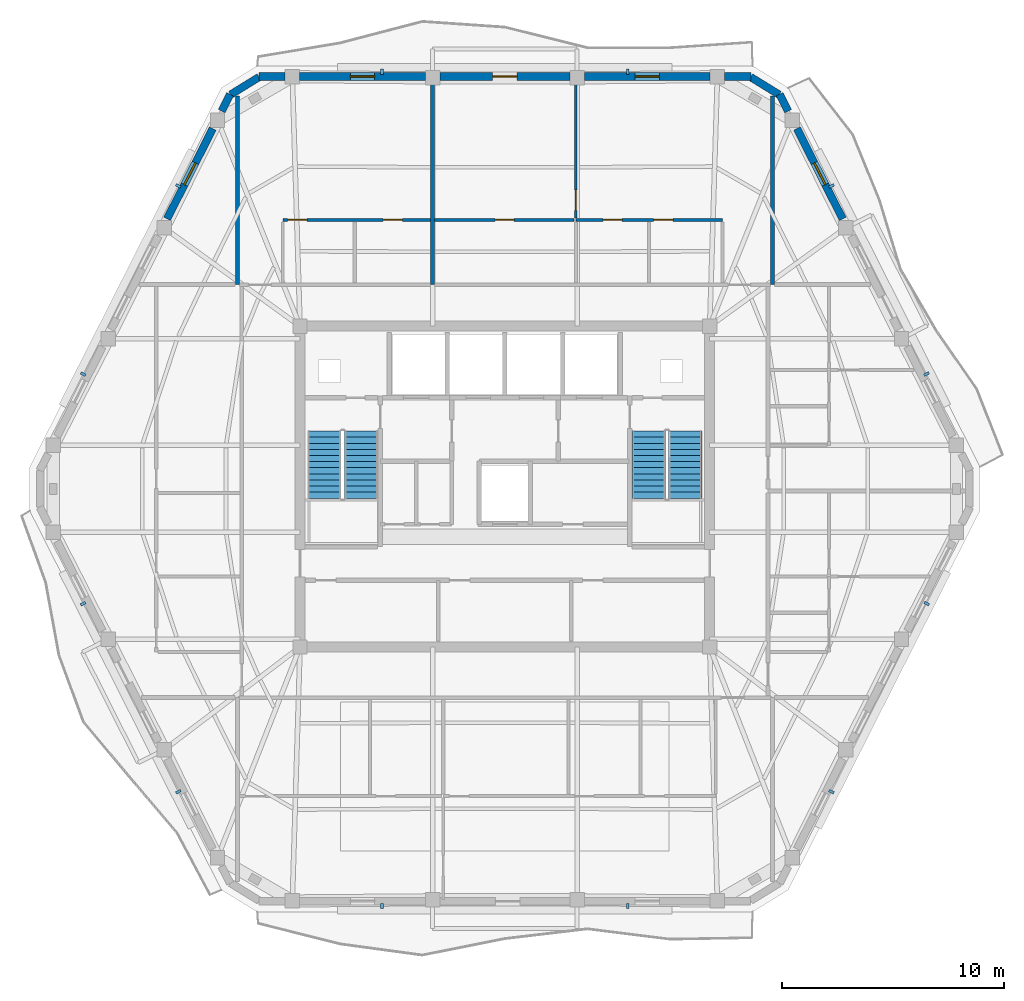
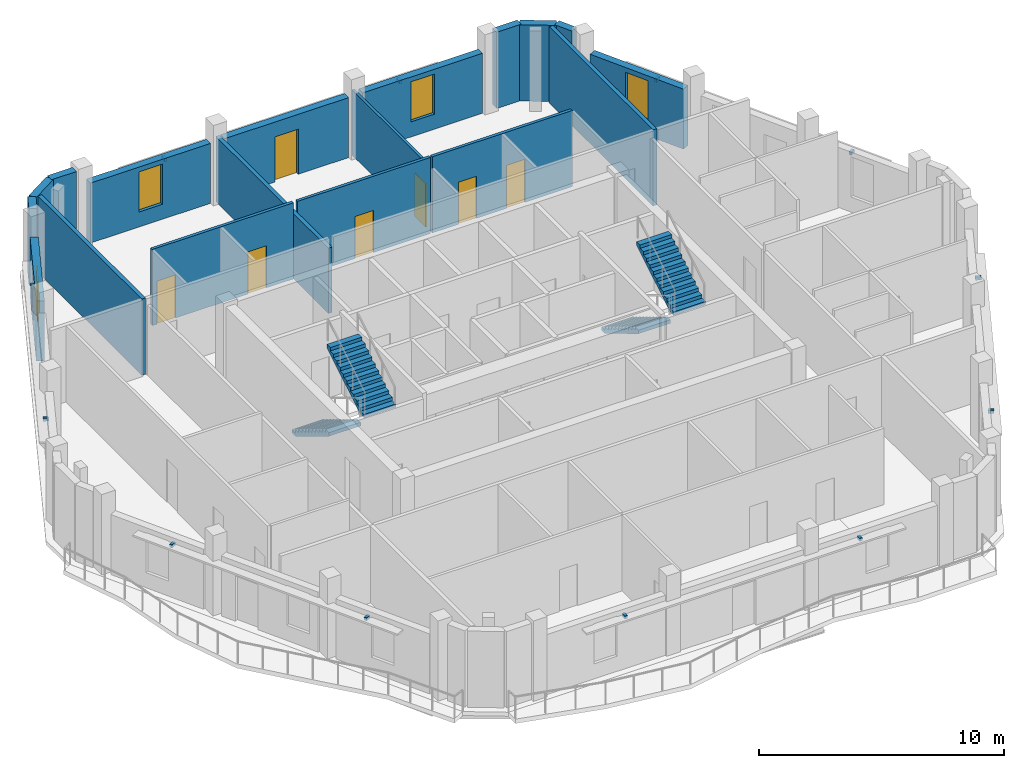
# One storey, part 7 of 10: 18 walls, 12 discrete accessories, 7 doors, 4 stair flights, 4 windows, 11 openings, 2 elements without a shape of their own.
"""IFC4 building model written with IfcOpenShell, lengths in metres."""

from ifc_helpers import new_model, si_unit, direction, frame, frame_2d, origin, origin_2d, place, context, subcontext, project, spatial, polyline, rectangle, outline, extrude, material, layer, layer_set, type_object, element, fill, aggregate, save


model = new_model("IFC4")

# Units and contexts
model_context = context("Model", 3, precision=1e-05, world=origin(), true_north=direction((0.0, 1.0)))
body_context = subcontext(model_context, "Body", "Model", "MODEL_VIEW")
ifc_project = project(units=[si_unit("LENGTHUNIT", "METRE"), si_unit("AREAUNIT", "SQUARE_METRE"), si_unit("VOLUMEUNIT", "CUBIC_METRE"), si_unit("PLANEANGLEUNIT", "RADIAN"), si_unit("MASSUNIT", "GRAM", prefix="KILO")], contexts=[model_context])

# Site, building, storey
site_placement = place(None, origin())
site = spatial("IfcSite", under=ifc_project, at=site_placement, CompositionType="ELEMENT")
building_placement = place(site_placement, origin())
building = spatial("IfcBuilding", under=site, at=building_placement, Name="Cinnabar Lancet Tower", CompositionType="ELEMENT")
storey_placement = place(building_placement, frame((0.0, 0.0, 287.5)))
storey = spatial("IfcBuildingStorey", under=building, at=storey_placement, Name="L76", CompositionType="ELEMENT", Elevation=287.5)

# Walls
ifc_material_1 = material(Name="Fire-rated twin-frame acoustic drywall", Category="gypsum")
ifc_layer_1 = layer(ifc_material_1, 0.179931640625)
ifc_layer_set_1 = layer_set([ifc_layer_1], Name="Fire-rated twin-frame acoustic drywall")
wall_type_1 = type_object("IfcWallType", Name="ARC-WL-PARTY-180", PredefinedType="PARTITIONING", material=ifc_layer_set_1)
wall_1_placement = place(storey_placement, frame((20.35009765625, 35.0, 0.0), z_axis=(0.0, 0.0, 1.0), x_axis=(0.0, 1.0, 0.0)))
element("IfcWall", 1, at=wall_1_placement, inside=storey, type_object=wall_type_1, Name="PW-L76-NPTY-204", PredefinedType="PARTITIONING", context=body_context, shape_type="SweptSolid", body=[
    extrude(rectangle(XDim=8.48095703125, YDim=0.179931640625, at=frame_2d((4.240478515625, 0.0))), origin(), (0.0, 0.0, 1.0), 3.800048828125),
])
wall_2_placement = place(storey_placement, frame((29.14599609375, 35.0, 0.0), z_axis=(0.0, 0.0, 1.0), x_axis=(0.0, 1.0, 0.0)))
element("IfcWall", 2, at=wall_2_placement, inside=storey, type_object=wall_type_1, Name="PW-L76-NPTY-291", PredefinedType="PARTITIONING", context=body_context, shape_type="SweptSolid", body=[
    extrude(rectangle(XDim=9.195068359375, YDim=0.179931640625, at=frame_2d((4.59765625, 0.0))), origin(), (0.0, 0.0, 1.0), 3.257080078125),
])
wall_3_placement = place(storey_placement, frame((44.449951171875, 35.0, 0.0), z_axis=(0.0, 0.0, 1.0), x_axis=(0.0, 1.0, 0.0)))
element("IfcWall", 3, at=wall_3_placement, inside=storey, type_object=wall_type_1, Name="PW-L76-NPTY-444", PredefinedType="PARTITIONING", context=body_context, shape_type="SweptSolid", body=[
    extrude(rectangle(XDim=8.48095703125, YDim=0.179931640625, at=frame_2d((4.240478515625, 0.0))), origin(), (0.0, 0.0, 1.0), 3.800048828125),
])

# Wall, opening, door
ifc_material_2 = material(Name="Gypsum plasterboard stud partition", Category="gypsum")
ifc_layer_2 = layer(ifc_material_2, 0.125)
ifc_layer_set_2 = layer_set([ifc_layer_2], Name="Gypsum plasterboard stud partition")
wall_type_2 = type_object("IfcWallType", Name="ARC-WL-UNIT-125", PredefinedType="PARTITIONING", material=ifc_layer_set_2)
wall_4_placement = place(storey_placement, frame((35.596923828125, 37.989990234375, 0.0), z_axis=(0.0, 0.0, 1.0), x_axis=(0.0, 1.0, 0.0)))
wall_4 = element("IfcWall", 4, at=wall_4_placement, inside=storey, type_object=wall_type_2, Name="UW-L76-N02-MBW", PredefinedType="PARTITIONING", context=body_context, shape_type="SweptSolid", body=[
    extrude(rectangle(XDim=6.294921875, YDim=0.125, at=frame_2d((3.1474609375, 0.0))), origin(), (0.0, 0.0, 1.0), 3.257080078125),
])
opening_1_placement = place(wall_4_placement, frame((0.35009765625, 0.0, 0.0)))
opening_1 = element("IfcOpeningElement", 5, at=opening_1_placement, cuts=wall_4, Name="Opening RD-01", PredefinedType="OPENING", context=body_context, shape_type="SweptSolid", body=[
    extrude(rectangle(XDim=0.919921875, YDim=2.14990234375, at=frame_2d((0.4599609375, 1.074951171875))), frame((0.0, 0.072509765625, 0.0), z_axis=(0.0, -1.0, 0.0), x_axis=(1.0, 0.0, 0.0)), (0.0, 0.0, 1.0), 0.14501953125),
])
ifc_material_3 = material(Name="Engineered timber bedroom door", Category="wood")
door_type_1 = type_object("IfcDoorType", Name="ARC-DR-ROOM", OperationType="NOTDEFINED", PredefinedType="DOOR", material=ifc_material_3)
door_1_placement = place(opening_1_placement, origin())
door_1 = element("IfcDoor", 6, at=door_1_placement, inside=storey, type_object=door_type_1, Name="DR-L76-N02-MBD", OperationType="SINGLE_SWING_LEFT", OverallHeight=2.14990234375, OverallWidth=0.919921875, PredefinedType="DOOR", context=body_context, shape_type="SweptSolid", body=[
    extrude(rectangle(XDim=0.919921875, YDim=2.14990234375, at=frame_2d((0.4599609375, 1.074951171875))), frame((0.0, 0.02490234375, 0.0), z_axis=(0.0, -1.0, 0.0), x_axis=(1.0, 0.0, 0.0)), (0.0, 0.0, 1.0), 0.050048828125),
])
fill(opening_1, door_1)

# Wall, openings, doors
ifc_material_4 = material(Name="Moisture-resistant cement-board plumbing wall", Category="masonry")
ifc_layer_3 = layer(ifc_material_4, 0.139892578125)
ifc_layer_set_3 = layer_set([ifc_layer_3], Name="Moisture-resistant cement-board plumbing wall")
wall_type_3 = type_object("IfcWallType", Name="ARC-WL-WET-140", PredefinedType="PLUMBINGWALL", material=ifc_layer_set_3)
wall_5_placement = place(storey_placement, frame((22.39990234375, 37.9150390625, 0.0), z_axis=(0.0, 0.0, 1.0), x_axis=(1.0, 0.0, 0.0)))
wall_5 = element("IfcWall", 7, at=wall_5_placement, inside=storey, type_object=wall_type_3, Name="UW-L76-N01-SPL", PredefinedType="PLUMBINGWALL", context=body_context, shape_type="SweptSolid", body=[
    extrude(rectangle(XDim=6.651123046875, YDim=0.139892578125, at=frame_2d((3.32568359375, 0.0))), origin(), (0.0, 0.0, 1.0), 3.800048828125),
])
opening_2_placement = place(wall_5_placement, frame((4.52001953125, 0.0, 0.0)))
opening_2 = element("IfcOpeningElement", 8, at=opening_2_placement, cuts=wall_5, Name="Opening BD-01", PredefinedType="OPENING", context=body_context, shape_type="SweptSolid", body=[
    extrude(rectangle(XDim=0.860107421875, YDim=2.10009765625, at=frame_2d((0.43017578125, 1.050048828125))), frame((0.0, 0.079833984375, 0.0), z_axis=(0.0, -1.0, 0.0), x_axis=(1.0, 0.0, 0.0)), (0.0, 0.0, 1.0), 0.159912109375),
])
opening_3_placement = place(wall_5_placement, frame((0.219970703125, 0.0, 0.0)))
opening_3 = element("IfcOpeningElement", 9, at=opening_3_placement, cuts=wall_5, Name="Opening RD-02", PredefinedType="OPENING", context=body_context, shape_type="SweptSolid", body=[
    extrude(rectangle(XDim=0.8798828125, YDim=2.14990234375, at=frame_2d((0.43994140625, 1.074951171875))), frame((0.0, 0.079833984375, 0.0), z_axis=(0.0, -1.0, 0.0), x_axis=(1.0, 0.0, 0.0)), (0.0, 0.0, 1.0), 0.159912109375),
])
ifc_material_5 = material(Name="Moisture-resistant timber bathroom door", Category="wood")
door_type_2 = type_object("IfcDoorType", Name="ARC-DR-BATH", OperationType="NOTDEFINED", PredefinedType="DOOR", material=ifc_material_5)
door_2_placement = place(opening_2_placement, origin())
door_2 = element("IfcDoor", 10, at=door_2_placement, inside=storey, type_object=door_type_2, Name="DR-L76-N01-BTH", OperationType="SINGLE_SWING_LEFT", OverallHeight=2.10009765625, OverallWidth=0.860107421875, PredefinedType="DOOR", context=body_context, shape_type="SweptSolid", body=[
    extrude(rectangle(XDim=0.860107421875, YDim=2.10009765625, at=frame_2d((0.43017578125, 1.050048828125))), frame((0.0, 0.02490234375, 0.0), z_axis=(0.0, -1.0, 0.0), x_axis=(1.0, 0.0, 0.0)), (0.0, 0.0, 1.0), 0.050048828125),
])
fill(opening_2, door_2)
ifc_material_6 = material(Name="Engineered timber study door", Category="wood")
door_type_3 = type_object("IfcDoorType", Name="ARC-DR-STUDY", OperationType="NOTDEFINED", PredefinedType="DOOR", material=ifc_material_6)
door_3_placement = place(opening_3_placement, origin())
door_3 = element("IfcDoor", 11, at=door_3_placement, inside=storey, type_object=door_type_3, Name="DR-L76-N01-KIT", OperationType="SINGLE_SWING_RIGHT", OverallHeight=2.14990234375, OverallWidth=0.8798828125, PredefinedType="DOOR", context=body_context, shape_type="SweptSolid", body=[
    extrude(rectangle(XDim=0.8798828125, YDim=2.14990234375, at=frame_2d((0.43994140625, 1.074951171875))), frame((0.0, 0.02490234375, 0.0), z_axis=(0.0, -1.0, 0.0), x_axis=(1.0, 0.0, 0.0)), (0.0, 0.0, 1.0), 0.050048828125),
])
fill(opening_3, door_3)

wall_6_placement = place(storey_placement, frame((35.596923828125, 37.9150390625, 0.0), z_axis=(0.0, 0.0, 1.0), x_axis=(1.0, 0.0, 0.0)))
wall_6 = element("IfcWall", 12, at=wall_6_placement, inside=storey, type_object=wall_type_3, Name="UW-L76-N02-SPL", PredefinedType="PLUMBINGWALL", context=body_context, shape_type="SweptSolid", body=[
    extrude(rectangle(XDim=6.60302734375, YDim=0.139892578125, at=frame_2d((3.301513671875, 0.0))), origin(), (0.0, 0.0, 1.0), 3.800048828125),
])
opening_4_placement = place(wall_6_placement, frame((1.22607421875, 0.0, 0.0)))
opening_4 = element("IfcOpeningElement", 13, at=opening_4_placement, cuts=wall_6, Name="Opening BD-01", PredefinedType="OPENING", context=body_context, shape_type="SweptSolid", body=[
    extrude(rectangle(XDim=0.860107421875, YDim=2.10009765625, at=frame_2d((0.43017578125, 1.050048828125))), frame((0.0, 0.079833984375, 0.0), z_axis=(0.0, -1.0, 0.0), x_axis=(1.0, 0.0, 0.0)), (0.0, 0.0, 1.0), 0.159912109375),
])
opening_5_placement = place(wall_6_placement, frame((3.5009765625, 0.0, 0.0)))
opening_5 = element("IfcOpeningElement", 14, at=opening_5_placement, cuts=wall_6, Name="Opening RD-02", PredefinedType="OPENING", context=body_context, shape_type="SweptSolid", body=[
    extrude(rectangle(XDim=0.8798828125, YDim=2.14990234375, at=frame_2d((0.43994140625, 1.074951171875))), frame((0.0, 0.079833984375, 0.0), z_axis=(0.0, -1.0, 0.0), x_axis=(1.0, 0.0, 0.0)), (0.0, 0.0, 1.0), 0.159912109375),
])
door_4_placement = place(opening_4_placement, origin())
door_4 = element("IfcDoor", 15, at=door_4_placement, inside=storey, type_object=door_type_2, Name="DR-L76-N02-BTH", OperationType="SINGLE_SWING_LEFT", OverallHeight=2.10009765625, OverallWidth=0.860107421875, PredefinedType="DOOR", context=body_context, shape_type="SweptSolid", body=[
    extrude(rectangle(XDim=0.860107421875, YDim=2.10009765625, at=frame_2d((0.43017578125, 1.050048828125))), frame((0.0, 0.02490234375, 0.0), z_axis=(0.0, -1.0, 0.0), x_axis=(1.0, 0.0, 0.0)), (0.0, 0.0, 1.0), 0.050048828125),
])
fill(opening_4, door_4)
door_5_placement = place(opening_5_placement, origin())
door_5 = element("IfcDoor", 16, at=door_5_placement, inside=storey, type_object=door_type_3, Name="DR-L76-N02-KIT", OperationType="SINGLE_SWING_RIGHT", OverallHeight=2.14990234375, OverallWidth=0.8798828125, PredefinedType="DOOR", context=body_context, shape_type="SweptSolid", body=[
    extrude(rectangle(XDim=0.8798828125, YDim=2.14990234375, at=frame_2d((0.43994140625, 1.074951171875))), frame((0.0, 0.02490234375, 0.0), z_axis=(0.0, -1.0, 0.0), x_axis=(1.0, 0.0, 0.0)), (0.0, 0.0, 1.0), 0.050048828125),
])
fill(opening_5, door_5)

# Wall, opening, door
wall_7_placement = place(storey_placement, frame((29.240966796875, 37.9150390625, 0.0), z_axis=(0.0, 0.0, 1.0), x_axis=(1.0, 0.0, 0.0)))
wall_7 = element("IfcWall", 17, at=wall_7_placement, inside=storey, type_object=wall_type_3, Name="UW-L76-N02-SPM", PredefinedType="PLUMBINGWALL", context=body_context, shape_type="SweptSolid", body=[
    extrude(rectangle(XDim=6.281005859375, YDim=0.139892578125, at=frame_2d((3.140625, 0.0))), origin(), (0.0, 0.0, 1.0), 3.800048828125),
])
opening_6_placement = place(wall_7_placement, frame((2.715087890625, 0.0, 0.0)))
opening_6 = element("IfcOpeningElement", 18, at=opening_6_placement, cuts=wall_7, Name="Opening BD-01", PredefinedType="OPENING", context=body_context, shape_type="SweptSolid", body=[
    extrude(rectangle(XDim=0.860107421875, YDim=2.10009765625, at=frame_2d((0.43017578125, 1.050048828125))), frame((0.0, 0.079833984375, 0.0), z_axis=(0.0, -1.0, 0.0), x_axis=(1.0, 0.0, 0.0)), (0.0, 0.0, 1.0), 0.159912109375),
])
door_6_placement = place(opening_6_placement, origin())
door_6 = element("IfcDoor", 19, at=door_6_placement, inside=storey, type_object=door_type_2, Name="DR-L76-N02-ENS", OperationType="SINGLE_SWING_RIGHT", OverallHeight=2.10009765625, OverallWidth=0.860107421875, PredefinedType="DOOR", context=body_context, shape_type="SweptSolid", body=[
    extrude(rectangle(XDim=0.860107421875, YDim=2.10009765625, at=frame_2d((0.43017578125, 1.050048828125))), frame((0.0, 0.02490234375, 0.0), z_axis=(0.0, -1.0, 0.0), x_axis=(1.0, 0.0, 0.0)), (0.0, 0.0, 1.0), 0.050048828125),
])
fill(opening_6, door_6)

# Walls
ifc_material_7 = material(Name="Cinnabar red clay brick", Category="masonry")
ifc_layer_4 = layer(ifc_material_7, 0.340087890625)
ifc_layer_set_4 = layer_set([ifc_layer_4], Name="Cinnabar red clay brick")
wall_type_4 = type_object("IfcWallType", Name="ENV-WL-BRK-RED-340", PredefinedType="STANDARD", material=ifc_layer_set_4)
for number, where, z_axis, x_axis, name in (
    (20, (44.7529296875, 43.554931640625, 0.0), (0.0, 0.0, 1.0), (-0.851680557619, 0.52406128246, 0.0), "L76 Chamfered Corner Brick Pier 4.1"),
    (21, (21.3310546875, 44.344970703125, 0.0), (0.0, 0.0, 1.0), (-0.851680557619, -0.52406128246, 0.0), "L76 Chamfered Corner Brick Pier 5.1"),
):
    element("IfcWall", number, at=place(storey_placement, frame(where, z_axis=z_axis, x_axis=x_axis)), inside=storey, type_object=wall_type_4, Name=name, PredefinedType="STANDARD", context=body_context, shape_type="SweptSolid", body=[
        extrude(rectangle(XDim=1.507568359375, YDim=0.340087890625, at=frame_2d((0.75390625, 0.0))), origin(), (0.0, 0.0, 1.0), 3.800048828125),
    ])

# Wall, opening, window
wall_8_placement = place(storey_placement, frame((47.612060546875, 37.9599609375, 0.0), z_axis=(0.0, 0.0, 1.0), x_axis=(-0.45154039276, 0.892250678737, 0.0)))
wall_8 = element("IfcWall", 22, at=wall_8_placement, inside=storey, type_object=wall_type_4, Name="L76 Face 3 Masonry Bay Wall 4", PredefinedType="STANDARD", context=body_context, shape_type="SweptSolid", body=[
    extrude(rectangle(XDim=4.5537109375, YDim=0.340087890625, at=frame_2d((2.27685546875, 0.0))), origin(), (0.0, 0.0, 1.0), 2.989990234375),
])
opening_7_placement = place(wall_8_placement, frame((1.72705078125, 0.0, 0.75)))
opening_7 = element("IfcOpeningElement", 23, at=opening_7_placement, cuts=wall_8, Name="Opening WN-04", PredefinedType="OPENING", context=body_context, shape_type="SweptSolid", body=[
    extrude(rectangle(XDim=1.10009765625, YDim=2.0, at=frame_2d((0.550048828125, 1.0))), frame((0.0, 0.179931640625, 0.0), z_axis=(0.0, -1.0, 0.0), x_axis=(1.0, 0.0, 0.0)), (0.0, 0.0, 1.0), 0.360107421875),
])
ifc_material_8 = material(Name="Thermally broken bronze-anodized aluminium tall lancet window", Category="aluminium")
window_type = type_object("IfcWindowType", Name="ENV-WN-LANCET-1100", PartitioningType="SINGLE_PANEL", PredefinedType="WINDOW", material=ifc_material_8)
window_1_placement = place(opening_7_placement, origin())
window_1 = element("IfcWindow", 24, at=window_1_placement, inside=storey, type_object=window_type, Name="L76 Face 3 Gothic Lancet Window 4", OverallHeight=2.0, OverallWidth=1.10009765625, PartitioningType="SINGLE_PANEL", PredefinedType="WINDOW", context=body_context, shape_type="SweptSolid", body=[
    extrude(rectangle(XDim=1.10009765625, YDim=2.0, at=frame_2d((0.550048828125, 1.0))), frame((0.0, 0.030029296875, 0.0), z_axis=(0.0, -1.0, 0.0), x_axis=(1.0, 0.0, 0.0)), (0.0, 0.0, 1.0), 0.06005859375),
])
fill(opening_7, window_1)

# Walls
wall_9_placement = place(storey_placement, frame((45.157958984375, 42.81103515625, 0.0), z_axis=(0.0, 0.0, 1.0), x_axis=(-0.451907025977, 0.8920650424, 0.0)))
element("IfcWall", 25, at=wall_9_placement, inside=storey, type_object=wall_type_4, Name="L76 Face 3 Masonry Bay Wall 5", PredefinedType="STANDARD", context=body_context, shape_type="SweptSolid", body=[
    extrude(rectangle(XDim=0.85205078125, YDim=0.340087890625, at=frame_2d((0.426025390625, 0.0))), origin(), (0.0, 0.0, 1.0), 3.800048828125),
])
wall_10_placement = place(storey_placement, frame((43.47412109375, 44.3701171875, 0.0), z_axis=(0.0, 0.0, 1.0), x_axis=(-1.0, 0.0, 0.0)))
element("IfcWall", 26, at=wall_10_placement, inside=storey, type_object=wall_type_4, Name="L76 Face 4 Masonry Bay Wall 1", PredefinedType="STANDARD", context=body_context, shape_type="SweptSolid", body=[
    extrude(rectangle(XDim=1.173095703125, YDim=0.340087890625, at=frame_2d((0.58642578125, 0.0))), origin(), (0.0, 0.0, 1.0), 3.800048828125),
])

# Wall, opening, window
wall_11_placement = place(storey_placement, frame((41.64306640625, 44.3701171875, 0.0), z_axis=(0.0, 0.0, 1.0), x_axis=(-1.0, 0.0, 0.0)))
wall_11 = element("IfcWall", 27, at=wall_11_placement, inside=storey, type_object=wall_type_4, Name="L76 Face 4 Masonry Bay Wall 2", PredefinedType="STANDARD", context=body_context, shape_type="SweptSolid", body=[
    extrude(rectangle(XDim=5.66015625, YDim=0.340087890625, at=frame_2d((2.830078125, 0.0))), origin(), (0.0, 0.0, 1.0), 2.989990234375),
])
opening_8_placement = place(wall_11_placement, frame((2.280029296875, 0.0, 0.75)))
opening_8 = element("IfcOpeningElement", 28, at=opening_8_placement, cuts=wall_11, Name="Opening WN-04", PredefinedType="OPENING", context=body_context, shape_type="SweptSolid", body=[
    extrude(rectangle(XDim=1.10009765625, YDim=2.0, at=frame_2d((0.550048828125, 1.0))), frame((0.0, 0.179931640625, 0.0), z_axis=(0.0, -1.0, 0.0), x_axis=(1.0, 0.0, 0.0)), (0.0, 0.0, 1.0), 0.360107421875),
])
window_2_placement = place(opening_8_placement, origin())
window_2 = element("IfcWindow", 29, at=window_2_placement, inside=storey, type_object=window_type, Name="L76 Face 4 Gothic Lancet Window 2", OverallHeight=2.0, OverallWidth=1.10009765625, PartitioningType="SINGLE_PANEL", PredefinedType="WINDOW", context=body_context, shape_type="SweptSolid", body=[
    extrude(rectangle(XDim=1.10009765625, YDim=2.0, at=frame_2d((0.550048828125, 1.0))), frame((0.0, 0.030029296875, 0.0), z_axis=(0.0, -1.0, 0.0), x_axis=(1.0, 0.0, 0.0)), (0.0, 0.0, 1.0), 0.06005859375),
])
fill(opening_8, window_2)

# Wall, opening, door
wall_12_placement = place(storey_placement, frame((35.324951171875, 44.3701171875, 0.0), z_axis=(0.0, 0.0, 1.0), x_axis=(-1.0, 0.0, 0.0)))
wall_12 = element("IfcWall", 30, at=wall_12_placement, inside=storey, type_object=wall_type_4, Name="L76 Face 4 Masonry Bay Wall 3", PredefinedType="STANDARD", context=body_context, shape_type="SweptSolid", body=[
    extrude(rectangle(XDim=5.849853515625, YDim=0.340087890625, at=frame_2d((2.9248046875, 0.0))), origin(), (0.0, 0.0, 1.0), 2.989990234375),
])
opening_9_placement = place(wall_12_placement, frame((2.375, 0.0, 0.0)))
opening_9 = element("IfcOpeningElement", 31, at=opening_9_placement, cuts=wall_12, Name="Opening TD-01", PredefinedType="OPENING", context=body_context, shape_type="SweptSolid", body=[
    extrude(rectangle(XDim=1.10009765625, YDim=2.25, at=frame_2d((0.550048828125, 1.125))), frame((0.0, 0.179931640625, 0.0), z_axis=(0.0, -1.0, 0.0), x_axis=(1.0, 0.0, 0.0)), (0.0, 0.0, 1.0), 0.360107421875),
])
ifc_material_9 = material(Name="Thermally broken low-E glazed balcony terrace door", Category="wood")
door_type_4 = type_object("IfcDoorType", Name="ARC-DR-BALC", OperationType="NOTDEFINED", PredefinedType="DOOR", material=ifc_material_9)
door_7_placement = place(opening_9_placement, origin())
door_7 = element("IfcDoor", 32, at=door_7_placement, inside=storey, type_object=door_type_4, Name="L76 Face 4 Glazed Terrace Door", OperationType="SINGLE_SWING_RIGHT", OverallHeight=2.25, OverallWidth=1.10009765625, PredefinedType="DOOR", context=body_context, shape_type="SweptSolid", body=[
    extrude(rectangle(XDim=1.10009765625, YDim=2.25, at=frame_2d((0.550048828125, 1.125))), frame((0.0, 0.02490234375, 0.0), z_axis=(0.0, -1.0, 0.0), x_axis=(1.0, 0.0, 0.0)), (0.0, 0.0, 1.0), 0.050048828125),
])
fill(opening_9, door_7)

# Wall, opening, window
wall_13_placement = place(storey_placement, frame((28.81689453125, 44.3701171875, 0.0), z_axis=(0.0, 0.0, 1.0), x_axis=(-1.0, 0.0, 0.0)))
wall_13 = element("IfcWall", 33, at=wall_13_placement, inside=storey, type_object=wall_type_4, Name="L76 Face 4 Masonry Bay Wall 4", PredefinedType="STANDARD", context=body_context, shape_type="SweptSolid", body=[
    extrude(rectangle(XDim=5.659912109375, YDim=0.340087890625, at=frame_2d((2.830078125, 0.0))), origin(), (0.0, 0.0, 1.0), 2.989990234375),
])
opening_10_placement = place(wall_13_placement, frame((2.280029296875, 0.0, 0.75)))
opening_10 = element("IfcOpeningElement", 34, at=opening_10_placement, cuts=wall_13, Name="Opening WN-04", PredefinedType="OPENING", context=body_context, shape_type="SweptSolid", body=[
    extrude(rectangle(XDim=1.10009765625, YDim=2.0, at=frame_2d((0.550048828125, 1.0))), frame((0.0, 0.179931640625, 0.0), z_axis=(0.0, -1.0, 0.0), x_axis=(1.0, 0.0, 0.0)), (0.0, 0.0, 1.0), 0.360107421875),
])
window_3_placement = place(opening_10_placement, origin())
window_3 = element("IfcWindow", 35, at=window_3_placement, inside=storey, type_object=window_type, Name="L76 Face 4 Gothic Lancet Window 4", OverallHeight=2.0, OverallWidth=1.10009765625, PartitioningType="SINGLE_PANEL", PredefinedType="WINDOW", context=body_context, shape_type="SweptSolid", body=[
    extrude(rectangle(XDim=1.10009765625, YDim=2.0, at=frame_2d((0.550048828125, 1.0))), frame((0.0, 0.030029296875, 0.0), z_axis=(0.0, -1.0, 0.0), x_axis=(1.0, 0.0, 0.0)), (0.0, 0.0, 1.0), 0.06005859375),
])
fill(opening_10, window_3)

# Walls
wall_14_placement = place(storey_placement, frame((22.4990234375, 44.3701171875, 0.0), z_axis=(0.0, 0.0, 1.0), x_axis=(-1.0, 0.0, 0.0)))
element("IfcWall", 36, at=wall_14_placement, inside=storey, type_object=wall_type_4, Name="L76 Face 4 Masonry Bay Wall 5", PredefinedType="STANDARD", context=body_context, shape_type="SweptSolid", body=[
    extrude(rectangle(XDim=1.173095703125, YDim=0.340087890625, at=frame_2d((0.58642578125, 0.0))), origin(), (0.0, 0.0, 1.0), 3.800048828125),
])
wall_15_placement = place(storey_placement, frame((20.027099609375, 43.571044921875, 0.0), z_axis=(0.0, 0.0, 1.0), x_axis=(-0.451907025977, -0.8920650424, 0.0)))
element("IfcWall", 37, at=wall_15_placement, inside=storey, type_object=wall_type_4, Name="L76 Face 5 Masonry Bay Wall 1", PredefinedType="STANDARD", context=body_context, shape_type="SweptSolid", body=[
    extrude(rectangle(XDim=0.85205078125, YDim=0.340087890625, at=frame_2d((0.426025390625, 0.0))), origin(), (0.0, 0.0, 1.0), 3.800048828125),
])

# Wall, opening, window
wall_16_placement = place(storey_placement, frame((19.243896484375, 42.02294921875, 0.0), z_axis=(0.0, 0.0, 1.0), x_axis=(-0.45149770819, -0.892272278791, 0.0)))
wall_16 = element("IfcWall", 38, at=wall_16_placement, inside=storey, type_object=wall_type_4, Name="L76 Face 5 Masonry Bay Wall 2", PredefinedType="STANDARD", context=body_context, shape_type="SweptSolid", body=[
    extrude(rectangle(XDim=4.553466796875, YDim=0.340087890625, at=frame_2d((2.27685546875, 0.0))), origin(), (0.0, 0.0, 1.0), 2.989990234375),
])
opening_11_placement = place(wall_16_placement, frame((1.72705078125, 0.0, 0.75)))
opening_11 = element("IfcOpeningElement", 39, at=opening_11_placement, cuts=wall_16, Name="Opening WN-04", PredefinedType="OPENING", context=body_context, shape_type="SweptSolid", body=[
    extrude(rectangle(XDim=1.10009765625, YDim=2.0, at=frame_2d((0.550048828125, 1.0))), frame((0.0, 0.179931640625, 0.0), z_axis=(0.0, -1.0, 0.0), x_axis=(1.0, 0.0, 0.0)), (0.0, 0.0, 1.0), 0.360107421875),
])
window_4_placement = place(opening_11_placement, origin())
window_4 = element("IfcWindow", 40, at=window_4_placement, inside=storey, type_object=window_type, Name="L76 Face 5 Gothic Lancet Window 2", OverallHeight=2.0, OverallWidth=1.10009765625, PartitioningType="SINGLE_PANEL", PredefinedType="WINDOW", context=body_context, shape_type="SweptSolid", body=[
    extrude(rectangle(XDim=1.10009765625, YDim=2.0, at=frame_2d((0.550048828125, 1.0))), frame((0.0, 0.030029296875, 0.0), z_axis=(0.0, -1.0, 0.0), x_axis=(1.0, 0.0, 0.0)), (0.0, 0.0, 1.0), 0.06005859375),
])
fill(opening_11, window_4)

# Stair, stair flights
ifc_material_10 = material(Name="Concrete C40/50", Category="concrete")
stair_type = type_object("IfcStairType", Name="ST-CORE", PredefinedType="HALF_TURN_STAIR", material=ifc_material_10)
stair_1_placement = place(storey_placement, origin())
stair_1 = element("IfcStair", 41, at=stair_1_placement, inside=storey, type_object=stair_type, Name="L76 ST-1", PredefinedType="HALF_TURN_STAIR")
ifc_material_11 = material(Name="Concrete C40/50", Category="concrete")
stair_flight_type = type_object("IfcStairFlightType", Name="FLIGHT-CORE", PredefinedType="STRAIGHT", material=ifc_material_11)
stair_flight_1_placement = place(storey_placement, frame((24.27490234375, 28.39990234375, 0.0), z_axis=(0.0, 0.0, 1.0), x_axis=(0.0, -1.0, 0.0)))
stair_flight_1 = element("IfcStairFlight", 42, at=stair_flight_1_placement, type_object=stair_flight_type, Name="ST-1 flight 1", NumberOfRisers=12, NumberOfTreads=11, PredefinedType="STRAIGHT", RiserHeight=0.166666667, TreadLength=0.275, context=body_context, shape_type="SweptSolid", body=[
    extrude(outline(polyline([(0.0, 0.0), (0.0, 0.166748046875), (0.27490234375, 0.166748046875), (0.27490234375, 0.333251953125), (0.550048828125, 0.333251953125), (0.550048828125, 0.5), (0.824951171875, 0.5), (0.824951171875, 0.666748046875), (1.10009765625, 0.666748046875), (1.10009765625, 0.833251953125), (1.375, 0.833251953125), (1.375, 1.0), (1.64990234375, 1.0), (1.64990234375, 1.166748046875), (1.925048828125, 1.166748046875), (1.925048828125, 1.333251953125), (2.199951171875, 1.333251953125), (2.199951171875, 1.5), (2.47509765625, 1.5), (2.47509765625, 1.666748046875), (2.75, 1.666748046875), (2.75, 1.833251953125), (3.02490234375, 1.833251953125), (3.02490234375, 2.0), (3.02490234375, 1.657958984375), (0.289306640625, 0.0), (0.0, 0.0)])), frame((0.0, 0.75, 0.0), z_axis=(0.0, -1.0, 0.0), x_axis=(1.0, 0.0, 0.0)), (0.0, 0.0, 1.0), 1.5),
])
stair_flight_2_placement = place(storey_placement, frame((25.925048828125, 25.375, 2.0), z_axis=(0.0, 0.0, 1.0), x_axis=(0.0, 1.0, 0.0)))
stair_flight_2 = element("IfcStairFlight", 43, at=stair_flight_2_placement, type_object=stair_flight_type, Name="ST-1 flight 2", NumberOfRisers=12, NumberOfTreads=11, PredefinedType="STRAIGHT", RiserHeight=0.166666667, TreadLength=0.275, context=body_context, shape_type="SweptSolid", body=[
    extrude(outline(polyline([(0.0, 0.0), (0.0, 0.166748046875), (0.27490234375, 0.166748046875), (0.27490234375, 0.333251953125), (0.550048828125, 0.333251953125), (0.550048828125, 0.5), (0.824951171875, 0.5), (0.824951171875, 0.666748046875), (1.10009765625, 0.666748046875), (1.10009765625, 0.833251953125), (1.375, 0.833251953125), (1.375, 1.0), (1.64990234375, 1.0), (1.64990234375, 1.166748046875), (1.925048828125, 1.166748046875), (1.925048828125, 1.333251953125), (2.199951171875, 1.333251953125), (2.199951171875, 1.5), (2.47509765625, 1.5), (2.47509765625, 1.666748046875), (2.75, 1.666748046875), (2.75, 1.833251953125), (3.02490234375, 1.833251953125), (3.02490234375, 2.0), (3.02490234375, 1.657958984375), (0.289306640625, 0.0), (0.0, 0.0)])), frame((0.0, 0.75, 0.0), z_axis=(0.0, -1.0, 0.0), x_axis=(1.0, 0.0, 0.0)), (0.0, 0.0, 1.0), 1.5),
])
aggregate(stair_1, [stair_flight_1, stair_flight_2])

stair_2_placement = place(storey_placement, origin())
stair_2 = element("IfcStair", 44, at=stair_2_placement, inside=storey, type_object=stair_type, Name="L76 ST-2", PredefinedType="HALF_TURN_STAIR")
stair_flight_3_placement = place(storey_placement, frame((38.875, 28.39990234375, 0.0), z_axis=(0.0, 0.0, 1.0), x_axis=(0.0, -1.0, 0.0)))
stair_flight_3 = element("IfcStairFlight", 45, at=stair_flight_3_placement, type_object=stair_flight_type, Name="ST-2 flight 1", NumberOfRisers=12, NumberOfTreads=11, PredefinedType="STRAIGHT", RiserHeight=0.166666667, TreadLength=0.275, context=body_context, shape_type="SweptSolid", body=[
    extrude(outline(polyline([(0.0, 0.0), (0.0, 0.166748046875), (0.27490234375, 0.166748046875), (0.27490234375, 0.333251953125), (0.550048828125, 0.333251953125), (0.550048828125, 0.5), (0.824951171875, 0.5), (0.824951171875, 0.666748046875), (1.10009765625, 0.666748046875), (1.10009765625, 0.833251953125), (1.375, 0.833251953125), (1.375, 1.0), (1.64990234375, 1.0), (1.64990234375, 1.166748046875), (1.925048828125, 1.166748046875), (1.925048828125, 1.333251953125), (2.199951171875, 1.333251953125), (2.199951171875, 1.5), (2.47509765625, 1.5), (2.47509765625, 1.666748046875), (2.75, 1.666748046875), (2.75, 1.833251953125), (3.02490234375, 1.833251953125), (3.02490234375, 2.0), (3.02490234375, 1.657958984375), (0.289306640625, 0.0), (0.0, 0.0)])), frame((0.0, 0.75, 0.0), z_axis=(0.0, -1.0, 0.0), x_axis=(1.0, 0.0, 0.0)), (0.0, 0.0, 1.0), 1.5),
])
stair_flight_4_placement = place(storey_placement, frame((40.52490234375, 25.375, 2.0), z_axis=(0.0, 0.0, 1.0), x_axis=(0.0, 1.0, 0.0)))
stair_flight_4 = element("IfcStairFlight", 46, at=stair_flight_4_placement, type_object=stair_flight_type, Name="ST-2 flight 2", NumberOfRisers=12, NumberOfTreads=11, PredefinedType="STRAIGHT", RiserHeight=0.166666667, TreadLength=0.275, context=body_context, shape_type="SweptSolid", body=[
    extrude(outline(polyline([(0.0, 0.0), (0.0, 0.166748046875), (0.27490234375, 0.166748046875), (0.27490234375, 0.333251953125), (0.550048828125, 0.333251953125), (0.550048828125, 0.5), (0.824951171875, 0.5), (0.824951171875, 0.666748046875), (1.10009765625, 0.666748046875), (1.10009765625, 0.833251953125), (1.375, 0.833251953125), (1.375, 1.0), (1.64990234375, 1.0), (1.64990234375, 1.166748046875), (1.925048828125, 1.166748046875), (1.925048828125, 1.333251953125), (2.199951171875, 1.333251953125), (2.199951171875, 1.5), (2.47509765625, 1.5), (2.47509765625, 1.666748046875), (2.75, 1.666748046875), (2.75, 1.833251953125), (3.02490234375, 1.833251953125), (3.02490234375, 2.0), (3.02490234375, 1.657958984375), (0.289306640625, 0.0), (0.0, 0.0)])), frame((0.0, 0.75, 0.0), z_axis=(0.0, -1.0, 0.0), x_axis=(1.0, 0.0, 0.0)), (0.0, 0.0, 1.0), 1.5),
])
aggregate(stair_2, [stair_flight_3, stair_flight_4])

# Discrete accessories
ifc_material_12 = material(Name="Stainless steel 316 facade fixing bracket", Category="steel")
discrete_accessory_type = type_object("IfcDiscreteAccessoryType", Name="ENV-ACC-BRK-180", PredefinedType="BRACKET", material=ifc_material_12)
for number, where, z_axis, x_axis, name in (
    (47, (26.863037109375, 7.010009765625, 2.60009765625), (0.0, 0.0, 1.0), (1.0, 0.0, 0.0), "L76 Face 1 Sunshade Bracket A"),
    (48, (37.93701171875, 7.010009765625, 2.60009765625), (0.0, 0.0, 1.0), (1.0, 0.0, 0.0), "L76 Face 1 Sunshade Bracket B"),
    (49, (47.10791015625, 12.157958984375, 2.60009765625), (0.0, 0.0, 1.0), (0.451375984307, 0.89233386173, 0.0), "L76 Face 2 Sunshade Bracket A"),
    (50, (51.39306640625, 20.6298828125, 2.60009765625), (0.0, 0.0, 1.0), (0.451375984307, 0.89233386173, 0.0), "L76 Face 2 Sunshade Bracket B"),
    (51, (51.39306640625, 30.969970703125, 2.60009765625), (0.0, 0.0, 1.0), (-0.451375984307, 0.89233386173, 0.0), "L76 Face 3 Sunshade Bracket A"),
    (52, (47.10791015625, 39.44189453125, 2.60009765625), (0.0, 0.0, 1.0), (-0.451375984307, 0.89233386173, 0.0), "L76 Face 3 Sunshade Bracket B"),
    (53, (37.93701171875, 44.590087890625, 2.60009765625), (0.0, 0.0, 1.0), (-1.0, 0.0, 0.0), "L76 Face 4 Sunshade Bracket A"),
    (54, (26.863037109375, 44.590087890625, 2.60009765625), (0.0, 0.0, 1.0), (-1.0, 0.0, 0.0), "L76 Face 4 Sunshade Bracket B"),
    (55, (17.69189453125, 39.44189453125, 2.60009765625), (0.0, 0.0, 1.0), (-0.451375984307, -0.89233386173, 0.0), "L76 Face 5 Sunshade Bracket A"),
    (56, (13.406982421875, 30.969970703125, 2.60009765625), (0.0, 0.0, 1.0), (-0.451375984307, -0.89233386173, 0.0), "L76 Face 5 Sunshade Bracket B"),
    (57, (13.406982421875, 20.6298828125, 2.60009765625), (0.0, 0.0, 1.0), (0.451375984307, -0.89233386173, 0.0), "L76 Face 6 Sunshade Bracket A"),
    (58, (17.69189453125, 12.157958984375, 2.60009765625), (0.0, 0.0, 1.0), (0.451375984307, -0.89233386173, 0.0), "L76 Face 6 Sunshade Bracket B"),
):
    element("IfcDiscreteAccessory", number, at=place(storey_placement, frame(where, z_axis=z_axis, x_axis=x_axis)), inside=storey, type_object=discrete_accessory_type, Name=name, PredefinedType="BRACKET", context=body_context, shape_type="SweptSolid", body=[
        extrude(rectangle(XDim=0.1201171875, YDim=0.239990234375, at=origin_2d()), origin(), (0.0, 0.0, 1.0), 0.159912109375),
    ])

save(model, "model.ifc")
